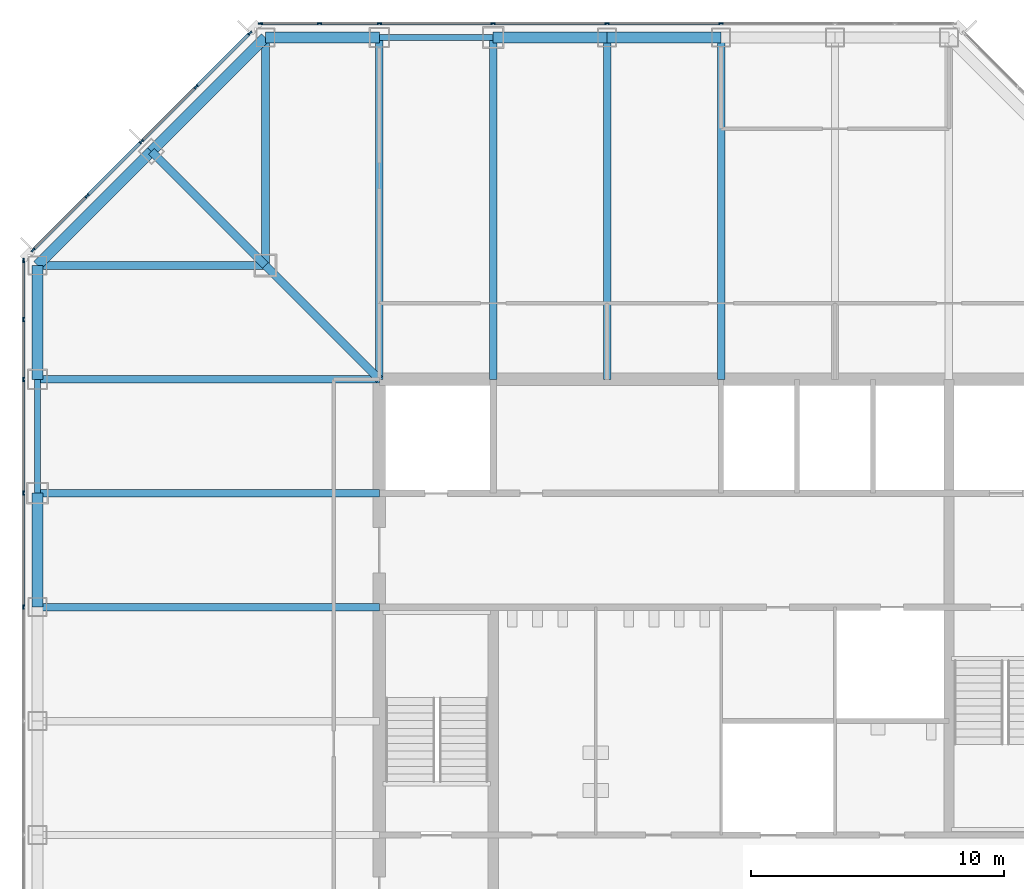
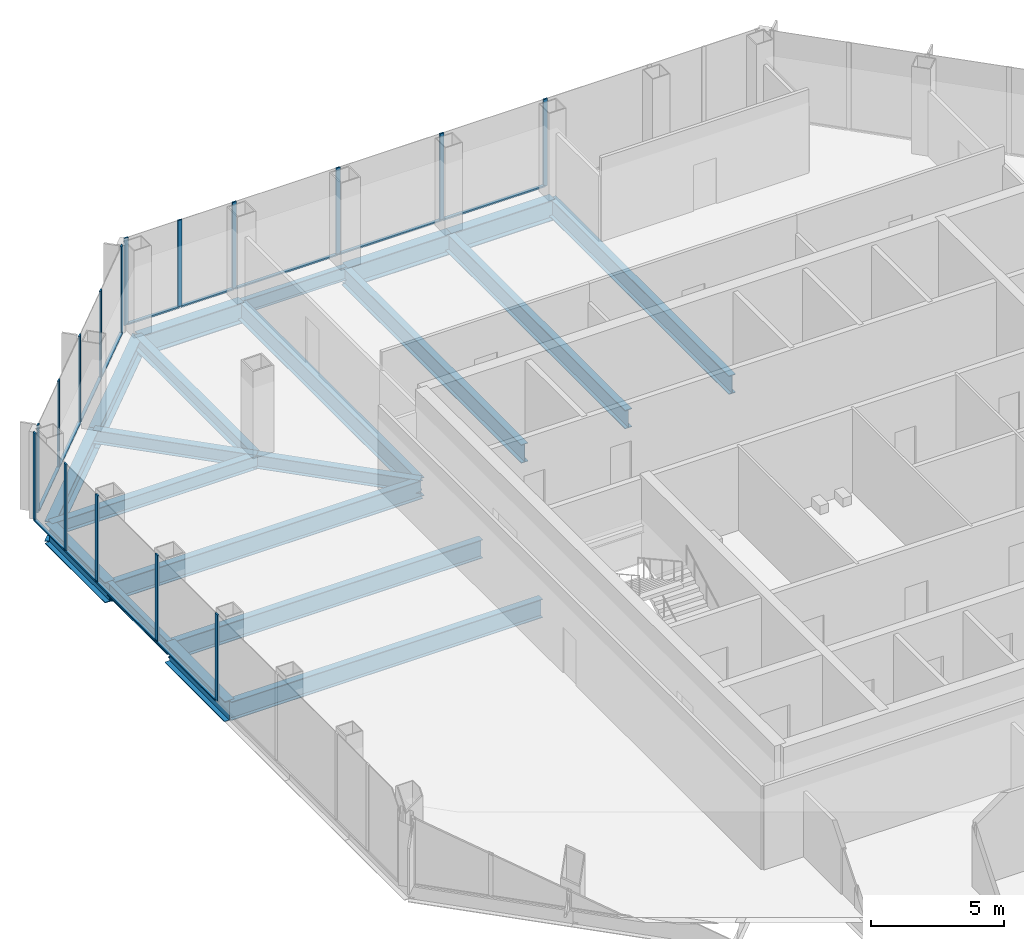
# One storey, part 5 of 12: 29 members, 20 beams, 3 elements without a shape of their own.
"""IFC4 building model written with IfcOpenShell, lengths in metres."""

from ifc_helpers import new_model, si_unit, direction, frame, origin, origin_2d, place, context, subcontext, project, spatial, rectangle, i_section, extrude, material, material_profile, profile_set, type_object, element, aggregate, save


model = new_model("IFC4")

# Units and contexts
model_context = context("Model", 3, precision=1e-05, world=origin(), true_north=direction((0.0, 1.0)))
body_context = subcontext(model_context, "Body", "Model", "MODEL_VIEW")
ifc_project = project(units=[si_unit("LENGTHUNIT", "METRE"), si_unit("AREAUNIT", "SQUARE_METRE"), si_unit("VOLUMEUNIT", "CUBIC_METRE"), si_unit("PLANEANGLEUNIT", "RADIAN"), si_unit("MASSUNIT", "GRAM", prefix="KILO")], contexts=[model_context])

# Site, building, storey
site_placement = place(None, origin())
site = spatial("IfcSite", under=ifc_project, at=site_placement, CompositionType="ELEMENT")
building_placement = place(site_placement, origin())
building = spatial("IfcBuilding", under=site, at=building_placement, Name="Corais Broadcast Tower", CompositionType="ELEMENT")
storey_placement = place(building_placement, frame((0.0, 0.0, 187.60009765625)))
storey = spatial("IfcBuildingStorey", under=building, at=storey_placement, Name="L43", CompositionType="ELEMENT", Elevation=187.60009765625)

# Beams
ifc_material_1 = material(Name="Steel ASTM A572 Grade 50", Category="steel")
ifc_material_profile_1 = material_profile(ifc_material_1, i_section(OverallWidth=0.323974609375, OverallDepth=0.611083984375, WebThickness=0.0126953125, FlangeThickness=0.01904296875, at=origin_2d()), Name="W610x155")
ifc_profile_set_1 = profile_set([ifc_material_profile_1], Name="Steel ASTM A572 Grade 50")
beam_type_1 = type_object("IfcBeamType", Name="Chamfer tie W610x155", PredefinedType="BEAM", material=ifc_profile_set_1)
beam_1_placement = place(storey_placement, frame((4.5, 49.5, -0.465576171875), z_axis=(0.707106781187, -0.707106781187, 0.0), x_axis=(0.707106781187, 0.707106781187, 0.0)))
element("IfcBeam", 1, at=beam_1_placement, inside=storey, type_object=beam_type_1, Name="B5 M/4 to L/5", PredefinedType="BEAM", context=body_context, shape_type="SweptSolid", body=[
    extrude(i_section(OverallWidth=0.323974609375, OverallDepth=0.611083984375, WebThickness=0.0126953125, FlangeThickness=0.01904296875, at=origin_2d()), origin(), (0.0, 0.0, 1.0), 6.364013671875),
])
ifc_material_2 = material(Name="Steel ASTM A572 Grade 50", Category="steel")
ifc_material_profile_2 = material_profile(ifc_material_2, i_section(OverallWidth=0.323974609375, OverallDepth=0.611083984375, WebThickness=0.0126953125, FlangeThickness=0.01904296875, at=origin_2d()), Name="W610x155")
ifc_profile_set_2 = profile_set([ifc_material_profile_2], Name="Steel ASTM A572 Grade 50")
beam_type_2 = type_object("IfcBeamType", Name="Corner diagonal W610x155", PredefinedType="BEAM", material=ifc_profile_set_2)
beam_2_placement = place(storey_placement, frame((9.0, 45.0, -0.465576171875), z_axis=(0.707106781187, -0.707106781187, 0.0), x_axis=(0.707106781187, 0.707106781187, 0.0)))
element("IfcBeam", 2, at=beam_2_placement, inside=storey, type_object=beam_type_2, Name="B6 L/5 to K/6", PredefinedType="BEAM", context=body_context, shape_type="SweptSolid", body=[
    extrude(i_section(OverallWidth=0.323974609375, OverallDepth=0.611083984375, WebThickness=0.0126953125, FlangeThickness=0.01904296875, at=origin_2d()), origin(), (0.0, 0.0, 1.0), 6.364013671875),
])
ifc_material_3 = material(Name="Steel ASTM A572 Grade 50", Category="steel")
ifc_material_profile_3 = material_profile(ifc_material_3, i_section(OverallWidth=0.323974609375, OverallDepth=0.611083984375, WebThickness=0.0126953125, FlangeThickness=0.01904296875, at=origin_2d()), Name="W610x155")
ifc_profile_set_3 = profile_set([ifc_material_profile_3], Name="Steel ASTM A572 Grade 50")
beam_type_3 = type_object("IfcBeamType", Name="Corner girder W610x155", PredefinedType="BEAM", material=ifc_profile_set_3)
for number, where, z_axis, x_axis, name in (
    (3, (0.0, 45.0, -0.465576171875), (1.0, 0.0, 0.0), (0.0, 1.0, 0.0), "B4 L/3 to L/5"),
    (4, (9.0, 54.0, -0.465576171875), (0.0, -1.0, 0.0), (1.0, 0.0, 0.0), "B4 N/5 to L/5"),
):
    element("IfcBeam", number, at=place(storey_placement, frame(where, z_axis=z_axis, x_axis=x_axis)), inside=storey, type_object=beam_type_3, Name=name, PredefinedType="BEAM", context=body_context, shape_type="SweptSolid", body=[
        extrude(i_section(OverallWidth=0.323974609375, OverallDepth=0.611083984375, WebThickness=0.0126953125, FlangeThickness=0.01904296875, at=origin_2d()), origin(), (0.0, 0.0, 1.0), 9.0),
    ])
ifc_material_4 = material(Name="Steel ASTM A572 Grade 50", Category="steel")
ifc_material_profile_4 = material_profile(ifc_material_4, i_section(OverallWidth=0.2939453125, OverallDepth=0.85107421875, WebThickness=0.01611328125, FlangeThickness=0.02685546875, at=origin_2d()), Name="W840x226")
ifc_profile_set_4 = profile_set([ifc_material_profile_4], Name="Steel ASTM A572 Grade 50")
beam_type_4 = type_object("IfcBeamType", Name="Floor beam W840x226", PredefinedType="BEAM", material=ifc_profile_set_4)
for number, where, z_axis, x_axis, name in (
    (5, (0.0, 31.5, -0.585693359375), (1.0, 0.0, 0.0), (0.0, 1.0, 0.0), "B1 H/3 to H/6"),
    (6, (0.0, 36.0, -0.585693359375), (1.0, 0.0, 0.0), (0.0, 1.0, 0.0), "B1 J/3 to J/6"),
    (7, (0.0, 40.5, -0.585693359375), (1.0, 0.0, 0.0), (0.0, 1.0, 0.0), "B1 K/3 to K/6"),
    (8, (13.5, 54.0, -0.585693359375), (0.0, -1.0, 0.0), (1.0, 0.0, 0.0), "B1 N/6 to K/6"),
    (9, (18.0, 54.0, -0.585693359375), (0.0, -1.0, 0.0), (1.0, 0.0, 0.0), "B1 N/7 to K/7"),
    (10, (22.5, 54.0, -0.585693359375), (0.0, -1.0, 0.0), (1.0, 0.0, 0.0), "B1 N/8 to K/8"),
    (11, (27.0, 54.0, -0.585693359375), (0.0, -1.0, 0.0), (1.0, 0.0, 0.0), "B1 N/9 to K/9"),
):
    element("IfcBeam", number, at=place(storey_placement, frame(where, z_axis=z_axis, x_axis=x_axis)), inside=storey, type_object=beam_type_4, Name=name, PredefinedType="BEAM", context=body_context, shape_type="SweptSolid", body=[
        extrude(i_section(OverallWidth=0.2939453125, OverallDepth=0.85107421875, WebThickness=0.01611328125, FlangeThickness=0.02685546875, at=origin_2d()), origin(), (0.0, 0.0, 1.0), 13.5),
    ])

# Curtain wall, members
ifc_material_5 = material(Name="Aluminium and glass", Category="aluminium")
curtain_wall_type = type_object("IfcCurtainWallType", Name="Unitised fritted curtain wall CW2", PredefinedType="NOTDEFINED", material=ifc_material_5)
curtain_wall_1_placement = place(storey_placement, origin())
curtain_wall_1 = element("IfcCurtainWall", 12, at=curtain_wall_1_placement, inside=storey, type_object=curtain_wall_type, Name="CW2 curtain wall L43 2", PredefinedType="NOTDEFINED")
ifc_material_6 = material(Name="Aluminium 6063-T6", Category="aluminium")
ifc_material_profile_5 = material_profile(ifc_material_6, rectangle(XDim=0.06494140625, YDim=0.179931640625, at=origin_2d()), Name="Mullion CW2 65x180")
ifc_profile_set_5 = profile_set([ifc_material_profile_5], Name="Aluminium 6063-T6")
member_type_1 = type_object("IfcMemberType", Name="Mullion CW2 65x180", PredefinedType="MULLION", material=ifc_profile_set_5)
member_1_placement = place(storey_placement, frame((-0.550048828125, 31.5, 0.0), z_axis=(0.0, 0.0, 1.0), x_axis=(-1.0, 0.0, 0.0)))
member_1 = element("IfcMember", 13, at=member_1_placement, type_object=member_type_1, Name="CW2 mullion 5", PredefinedType="MULLION", context=body_context, shape_type="SweptSolid", body=[
    extrude(rectangle(XDim=0.06494140625, YDim=0.179931640625, at=origin_2d()), origin(), (0.0, 0.0, 1.0), 4.0),
])
member_2_placement = place(storey_placement, frame((-0.550048828125, 36.0, 0.0), z_axis=(0.0, 0.0, 1.0), x_axis=(-1.0, 0.0, 0.0)))
member_2 = element("IfcMember", 14, at=member_2_placement, type_object=member_type_1, Name="CW2 mullion 6", PredefinedType="MULLION", context=body_context, shape_type="SweptSolid", body=[
    extrude(rectangle(XDim=0.06494140625, YDim=0.179931640625, at=origin_2d()), origin(), (0.0, 0.0, 1.0), 4.0),
])
member_3_placement = place(storey_placement, frame((-0.550048828125, 40.5, 0.0), z_axis=(0.0, 0.0, 1.0), x_axis=(-1.0, 0.0, 0.0)))
member_3 = element("IfcMember", 15, at=member_3_placement, type_object=member_type_1, Name="CW2 mullion 7", PredefinedType="MULLION", context=body_context, shape_type="SweptSolid", body=[
    extrude(rectangle(XDim=0.06494140625, YDim=0.179931640625, at=origin_2d()), origin(), (0.0, 0.0, 1.0), 4.0),
])
member_4_placement = place(storey_placement, frame((-0.550048828125, 42.864013671875, 0.0), z_axis=(0.0, 0.0, 1.0), x_axis=(-1.0, 0.0, 0.0)))
member_4 = element("IfcMember", 16, at=member_4_placement, type_object=member_type_1, Name="CW2 mullion 8", PredefinedType="MULLION", context=body_context, shape_type="SweptSolid", body=[
    extrude(rectangle(XDim=0.06494140625, YDim=0.179931640625, at=origin_2d()), origin(), (0.0, 0.0, 1.0), 4.0),
])
member_5_placement = place(storey_placement, frame((-0.550048828125, 45.1953125, 0.0), z_axis=(0.0, 0.0, 1.0), x_axis=(-1.0, 0.0, 0.0)))
member_5 = element("IfcMember", 17, at=member_5_placement, type_object=member_type_1, Name="CW2 mullion 9", PredefinedType="MULLION", context=body_context, shape_type="SweptSolid", body=[
    extrude(rectangle(XDim=0.06494140625, YDim=0.179931640625, at=origin_2d()), origin(), (0.0, 0.0, 1.0), 4.0),
])

curtain_wall_2_placement = place(storey_placement, origin())
curtain_wall_2 = element("IfcCurtainWall", 18, at=curtain_wall_2_placement, inside=storey, type_object=curtain_wall_type, Name="CW2 curtain wall L43 3", PredefinedType="NOTDEFINED")
member_6_placement = place(storey_placement, frame((-0.17333984375, 45.6044921875, 0.0), z_axis=(0.0, 0.0, 1.0), x_axis=(-0.707106781187, 0.707106781187, 0.0)))
member_6 = element("IfcMember", 19, at=member_6_placement, type_object=member_type_1, Name="CW2 mullion 1", PredefinedType="MULLION", context=body_context, shape_type="SweptSolid", body=[
    extrude(rectangle(XDim=0.06494140625, YDim=0.179931640625, at=origin_2d()), origin(), (0.0, 0.0, 1.0), 4.0),
])
member_7_placement = place(storey_placement, frame((1.957275390625, 47.735107421875, 0.0), z_axis=(0.0, 0.0, 1.0), x_axis=(-0.707106781187, 0.707106781187, 0.0)))
member_7 = element("IfcMember", 20, at=member_7_placement, type_object=member_type_1, Name="CW2 mullion 2", PredefinedType="MULLION", context=body_context, shape_type="SweptSolid", body=[
    extrude(rectangle(XDim=0.06494140625, YDim=0.179931640625, at=origin_2d()), origin(), (0.0, 0.0, 1.0), 4.0),
])
member_8_placement = place(storey_placement, frame((4.111083984375, 49.888916015625, 0.0), z_axis=(0.0, 0.0, 1.0), x_axis=(-0.707106781187, 0.707106781187, 0.0)))
member_8 = element("IfcMember", 21, at=member_8_placement, type_object=member_type_1, Name="CW2 mullion 3", PredefinedType="MULLION", context=body_context, shape_type="SweptSolid", body=[
    extrude(rectangle(XDim=0.06494140625, YDim=0.179931640625, at=origin_2d()), origin(), (0.0, 0.0, 1.0), 4.0),
])
member_9_placement = place(storey_placement, frame((6.264892578125, 52.042724609375, 0.0), z_axis=(0.0, 0.0, 1.0), x_axis=(-0.707106781187, 0.707106781187, 0.0)))
member_9 = element("IfcMember", 22, at=member_9_placement, type_object=member_type_1, Name="CW2 mullion 4", PredefinedType="MULLION", context=body_context, shape_type="SweptSolid", body=[
    extrude(rectangle(XDim=0.06494140625, YDim=0.179931640625, at=origin_2d()), origin(), (0.0, 0.0, 1.0), 4.0),
])
member_10_placement = place(storey_placement, frame((8.3955078125, 54.17333984375, 0.0), z_axis=(0.0, 0.0, 1.0), x_axis=(-0.707106781187, 0.707106781187, 0.0)))
member_10 = element("IfcMember", 23, at=member_10_placement, type_object=member_type_1, Name="CW2 mullion 5", PredefinedType="MULLION", context=body_context, shape_type="SweptSolid", body=[
    extrude(rectangle(XDim=0.06494140625, YDim=0.179931640625, at=origin_2d()), origin(), (0.0, 0.0, 1.0), 4.0),
])

curtain_wall_3_placement = place(storey_placement, origin())
curtain_wall_3 = element("IfcCurtainWall", 24, at=curtain_wall_3_placement, inside=storey, type_object=curtain_wall_type, Name="CW2 curtain wall L43 4", PredefinedType="NOTDEFINED")
member_11_placement = place(storey_placement, frame((8.8046875, 54.550048828125, 0.0), z_axis=(0.0, 0.0, 1.0), x_axis=(0.0, 1.0, 0.0)))
member_11 = element("IfcMember", 25, at=member_11_placement, type_object=member_type_1, Name="CW2 mullion 1", PredefinedType="MULLION", context=body_context, shape_type="SweptSolid", body=[
    extrude(rectangle(XDim=0.06494140625, YDim=0.179931640625, at=origin_2d()), origin(), (0.0, 0.0, 1.0), 4.0),
])
member_12_placement = place(storey_placement, frame((11.135986328125, 54.550048828125, 0.0), z_axis=(0.0, 0.0, 1.0), x_axis=(0.0, 1.0, 0.0)))
member_12 = element("IfcMember", 26, at=member_12_placement, type_object=member_type_1, Name="CW2 mullion 2", PredefinedType="MULLION", context=body_context, shape_type="SweptSolid", body=[
    extrude(rectangle(XDim=0.06494140625, YDim=0.179931640625, at=origin_2d()), origin(), (0.0, 0.0, 1.0), 4.0),
])
member_13_placement = place(storey_placement, frame((13.5, 54.550048828125, 0.0), z_axis=(0.0, 0.0, 1.0), x_axis=(0.0, 1.0, 0.0)))
member_13 = element("IfcMember", 27, at=member_13_placement, type_object=member_type_1, Name="CW2 mullion 3", PredefinedType="MULLION", context=body_context, shape_type="SweptSolid", body=[
    extrude(rectangle(XDim=0.06494140625, YDim=0.179931640625, at=origin_2d()), origin(), (0.0, 0.0, 1.0), 4.0),
])
member_14_placement = place(storey_placement, frame((18.0, 54.550048828125, 0.0), z_axis=(0.0, 0.0, 1.0), x_axis=(0.0, 1.0, 0.0)))
member_14 = element("IfcMember", 28, at=member_14_placement, type_object=member_type_1, Name="CW2 mullion 4", PredefinedType="MULLION", context=body_context, shape_type="SweptSolid", body=[
    extrude(rectangle(XDim=0.06494140625, YDim=0.179931640625, at=origin_2d()), origin(), (0.0, 0.0, 1.0), 4.0),
])
member_15_placement = place(storey_placement, frame((22.5, 54.550048828125, 0.0), z_axis=(0.0, 0.0, 1.0), x_axis=(0.0, 1.0, 0.0)))
member_15 = element("IfcMember", 29, at=member_15_placement, type_object=member_type_1, Name="CW2 mullion 5", PredefinedType="MULLION", context=body_context, shape_type="SweptSolid", body=[
    extrude(rectangle(XDim=0.06494140625, YDim=0.179931640625, at=origin_2d()), origin(), (0.0, 0.0, 1.0), 4.0),
])
member_16_placement = place(storey_placement, frame((27.0, 54.550048828125, 0.0), z_axis=(0.0, 0.0, 1.0), x_axis=(0.0, 1.0, 0.0)))
member_16 = element("IfcMember", 30, at=member_16_placement, type_object=member_type_1, Name="CW2 mullion 6", PredefinedType="MULLION", context=body_context, shape_type="SweptSolid", body=[
    extrude(rectangle(XDim=0.06494140625, YDim=0.179931640625, at=origin_2d()), origin(), (0.0, 0.0, 1.0), 4.0),
])

# Beams
ifc_material_7 = material(Name="Steel ASTM A572 Grade 50", Category="steel")
ifc_material_profile_6 = material_profile(ifc_material_7, i_section(OverallWidth=0.22900390625, OverallDepth=0.612060546875, WebThickness=0.011962890625, FlangeThickness=0.01953125, at=origin_2d()), Name="W610x125")
ifc_profile_set_6 = profile_set([ifc_material_profile_6], Name="Steel ASTM A572 Grade 50")
beam_type_5 = type_object("IfcBeamType", Name="Pinned spandrel W610x125", PredefinedType="BEAM", material=ifc_profile_set_6)
for number, where, z_axis, x_axis, name in (
    (31, (0.0, 40.5, -0.466064453125), (0.0, -1.0, 0.0), (1.0, 0.0, 0.0), "SB7 K/3 to J/3"),
    (32, (18.0, 54.0, -0.466064453125), (-1.0, 0.0, 0.0), (0.0, -1.0, 0.0), "SB7 N/7 to N/6"),
):
    element("IfcBeam", number, at=place(storey_placement, frame(where, z_axis=z_axis, x_axis=x_axis)), inside=storey, type_object=beam_type_5, Name=name, PredefinedType="BEAM", context=body_context, shape_type="SweptSolid", body=[
        extrude(i_section(OverallWidth=0.22900390625, OverallDepth=0.612060546875, WebThickness=0.011962890625, FlangeThickness=0.01953125, at=origin_2d()), origin(), (0.0, 0.0, 1.0), 4.5),
    ])
ifc_material_8 = material(Name="Steel ASTM A572 Grade 50", Category="steel")
ifc_material_profile_7 = material_profile(ifc_material_8, i_section(OverallWidth=0.4189453125, OverallDepth=0.94189453125, WebThickness=0.022216796875, FlangeThickness=0.03662109375, at=origin_2d()), Name="W920x345")
ifc_profile_set_7 = profile_set([ifc_material_profile_7], Name="Steel ASTM A572 Grade 50")
beam_type_6 = type_object("IfcBeamType", Name="Transfer spandrel W920x345", PredefinedType="BEAM", material=ifc_profile_set_7)
for number, where, z_axis, x_axis, name in (
    (33, (0.0, 36.0, -0.631103515625), (0.0, -1.0, 0.0), (1.0, 0.0, 0.0), "SB4 J/3 to H/3"),
    (34, (0.0, 45.0, -0.631103515625), (0.0, -1.0, 0.0), (1.0, 0.0, 0.0), "SB4 L/3 to K/3"),
    (35, (13.5, 54.0, -0.631103515625), (-1.0, 0.0, 0.0), (0.0, -1.0, 0.0), "SB4 N/6 to N/5"),
    (36, (22.5, 54.0, -0.631103515625), (-1.0, 0.0, 0.0), (0.0, -1.0, 0.0), "SB4 N/8 to N/7"),
    (37, (27.0, 54.0, -0.631103515625), (-1.0, 0.0, 0.0), (0.0, -1.0, 0.0), "SB4 N/9 to N/8"),
):
    element("IfcBeam", number, at=place(storey_placement, frame(where, z_axis=z_axis, x_axis=x_axis)), inside=storey, type_object=beam_type_6, Name=name, PredefinedType="BEAM", context=body_context, shape_type="SweptSolid", body=[
        extrude(i_section(OverallWidth=0.4189453125, OverallDepth=0.94189453125, WebThickness=0.022216796875, FlangeThickness=0.03662109375, at=origin_2d()), origin(), (0.0, 0.0, 1.0), 4.5),
    ])
for number, where, z_axis, x_axis, name in (
    (38, (4.5, 49.5, -0.631103515625), (-0.707106781187, -0.707106781187, 0.0), (0.707106781187, -0.707106781187, 0.0), "SB4 M/4 to L/3"),
    (39, (9.0, 54.0, -0.631103515625), (-0.707106781187, -0.707106781187, 0.0), (0.707106781187, -0.707106781187, 0.0), "SB4 N/5 to M/4"),
):
    element("IfcBeam", number, at=place(storey_placement, frame(where, z_axis=z_axis, x_axis=x_axis)), inside=storey, type_object=beam_type_6, Name=name, PredefinedType="BEAM", context=body_context, shape_type="SweptSolid", body=[
        extrude(i_section(OverallWidth=0.4189453125, OverallDepth=0.94189453125, WebThickness=0.022216796875, FlangeThickness=0.03662109375, at=origin_2d()), origin(), (0.0, 0.0, 1.0), 6.364013671875),
    ])

# Member
ifc_material_9 = material(Name="Aluminium 6063-T6", Category="aluminium")
ifc_material_profile_8 = material_profile(ifc_material_9, rectangle(XDim=0.1298828125, YDim=0.06494140625, at=origin_2d()), Name="Transom CW2 65x130")
ifc_profile_set_8 = profile_set([ifc_material_profile_8], Name="Aluminium 6063-T6")
member_type_2 = type_object("IfcMemberType", Name="Transom CW2 65x130", PredefinedType="USERDEFINED", material=ifc_profile_set_8)
member_17_placement = place(storey_placement, frame((-0.550048828125, 31.532470703125, 0.032470703125), z_axis=(0.0, 1.0, 0.0), x_axis=(-1.0, 0.0, 0.0)))
member_17 = element("IfcMember", 40, at=member_17_placement, type_object=member_type_2, Name="CW2 transom 5.1", ObjectType="TRANSOM", PredefinedType="USERDEFINED", context=body_context, shape_type="SweptSolid", body=[
    extrude(rectangle(XDim=0.1298828125, YDim=0.06494140625, at=origin_2d()), origin(), (0.0, 0.0, 1.0), 4.43505859375),
])

member_18_placement = place(storey_placement, frame((-0.550048828125, 36.032470703125, 0.032470703125), z_axis=(0.0, 1.0, 0.0), x_axis=(-1.0, 0.0, 0.0)))
member_18 = element("IfcMember", 41, at=member_18_placement, type_object=member_type_2, Name="CW2 transom 6.1", ObjectType="TRANSOM", PredefinedType="USERDEFINED", context=body_context, shape_type="SweptSolid", body=[
    extrude(rectangle(XDim=0.1298828125, YDim=0.06494140625, at=origin_2d()), origin(), (0.0, 0.0, 1.0), 4.43505859375),
])

member_19_placement = place(storey_placement, frame((-0.550048828125, 40.532470703125, 0.032470703125), z_axis=(0.0, 1.0, 0.0), x_axis=(-1.0, 0.0, 0.0)))
member_19 = element("IfcMember", 42, at=member_19_placement, type_object=member_type_2, Name="CW2 transom 7.1", ObjectType="TRANSOM", PredefinedType="USERDEFINED", context=body_context, shape_type="SweptSolid", body=[
    extrude(rectangle(XDim=0.1298828125, YDim=0.06494140625, at=origin_2d()), origin(), (0.0, 0.0, 1.0), 2.298828125),
])

member_20_placement = place(storey_placement, frame((-0.550048828125, 42.896484375, 0.032470703125), z_axis=(0.0, 1.0, 0.0), x_axis=(-1.0, 0.0, 0.0)))
member_20 = element("IfcMember", 43, at=member_20_placement, type_object=member_type_2, Name="CW2 transom 8.1", ObjectType="TRANSOM", PredefinedType="USERDEFINED", context=body_context, shape_type="SweptSolid", body=[
    extrude(rectangle(XDim=0.1298828125, YDim=0.06494140625, at=origin_2d()), origin(), (0.0, 0.0, 1.0), 2.266357421875),
])

aggregate(curtain_wall_1, [member_1, member_2, member_3, member_4, member_5, member_17, member_18, member_19, member_20])

member_21_placement = place(storey_placement, frame((-0.150390625, 45.62744140625, 0.032470703125), z_axis=(0.707106781187, 0.707106781187, 0.0), x_axis=(-0.707106781187, 0.707106781187, 0.0)))
member_21 = element("IfcMember", 44, at=member_21_placement, type_object=member_type_2, Name="CW2 transom 1.1", ObjectType="TRANSOM", PredefinedType="USERDEFINED", context=body_context, shape_type="SweptSolid", body=[
    extrude(rectangle(XDim=0.1298828125, YDim=0.06494140625, at=origin_2d()), origin(), (0.0, 0.0, 1.0), 2.9482421875),
])

member_22_placement = place(storey_placement, frame((1.980224609375, 47.758056640625, 0.032470703125), z_axis=(0.707106781187, 0.707106781187, 0.0), x_axis=(-0.707106781187, 0.707106781187, 0.0)))
member_22 = element("IfcMember", 45, at=member_22_placement, type_object=member_type_2, Name="CW2 transom 2.1", ObjectType="TRANSOM", PredefinedType="USERDEFINED", context=body_context, shape_type="SweptSolid", body=[
    extrude(rectangle(XDim=0.1298828125, YDim=0.06494140625, at=origin_2d()), origin(), (0.0, 0.0, 1.0), 2.98095703125),
])

member_23_placement = place(storey_placement, frame((4.134033203125, 49.911865234375, 0.032470703125), z_axis=(0.707106781187, 0.707106781187, 0.0), x_axis=(-0.707106781187, 0.707106781187, 0.0)))
member_23 = element("IfcMember", 46, at=member_23_placement, type_object=member_type_2, Name="CW2 transom 3.1", ObjectType="TRANSOM", PredefinedType="USERDEFINED", context=body_context, shape_type="SweptSolid", body=[
    extrude(rectangle(XDim=0.1298828125, YDim=0.06494140625, at=origin_2d()), origin(), (0.0, 0.0, 1.0), 2.98095703125),
])

member_24_placement = place(storey_placement, frame((6.287841796875, 52.065673828125, 0.032470703125), z_axis=(0.707106781187, 0.707106781187, 0.0), x_axis=(-0.707106781187, 0.707106781187, 0.0)))
member_24 = element("IfcMember", 47, at=member_24_placement, type_object=member_type_2, Name="CW2 transom 4.1", ObjectType="TRANSOM", PredefinedType="USERDEFINED", context=body_context, shape_type="SweptSolid", body=[
    extrude(rectangle(XDim=0.1298828125, YDim=0.06494140625, at=origin_2d()), origin(), (0.0, 0.0, 1.0), 2.9482421875),
])

aggregate(curtain_wall_2, [member_6, member_7, member_8, member_9, member_10, member_21, member_22, member_23, member_24])

member_25_placement = place(storey_placement, frame((8.837158203125, 54.550048828125, 0.032470703125), z_axis=(1.0, 0.0, 0.0), x_axis=(0.0, 1.0, 0.0)))
member_25 = element("IfcMember", 48, at=member_25_placement, type_object=member_type_2, Name="CW2 transom 1.1", ObjectType="TRANSOM", PredefinedType="USERDEFINED", context=body_context, shape_type="SweptSolid", body=[
    extrude(rectangle(XDim=0.1298828125, YDim=0.06494140625, at=origin_2d()), origin(), (0.0, 0.0, 1.0), 2.266357421875),
])

member_26_placement = place(storey_placement, frame((11.168701171875, 54.550048828125, 0.032470703125), z_axis=(1.0, 0.0, 0.0), x_axis=(0.0, 1.0, 0.0)))
member_26 = element("IfcMember", 49, at=member_26_placement, type_object=member_type_2, Name="CW2 transom 2.1", ObjectType="TRANSOM", PredefinedType="USERDEFINED", context=body_context, shape_type="SweptSolid", body=[
    extrude(rectangle(XDim=0.1298828125, YDim=0.06494140625, at=origin_2d()), origin(), (0.0, 0.0, 1.0), 2.298828125),
])

member_27_placement = place(storey_placement, frame((13.532470703125, 54.550048828125, 0.032470703125), z_axis=(1.0, 0.0, 0.0), x_axis=(0.0, 1.0, 0.0)))
member_27 = element("IfcMember", 50, at=member_27_placement, type_object=member_type_2, Name="CW2 transom 3.1", ObjectType="TRANSOM", PredefinedType="USERDEFINED", context=body_context, shape_type="SweptSolid", body=[
    extrude(rectangle(XDim=0.1298828125, YDim=0.06494140625, at=origin_2d()), origin(), (0.0, 0.0, 1.0), 4.43505859375),
])

member_28_placement = place(storey_placement, frame((18.032470703125, 54.550048828125, 0.032470703125), z_axis=(1.0, 0.0, 0.0), x_axis=(0.0, 1.0, 0.0)))
member_28 = element("IfcMember", 51, at=member_28_placement, type_object=member_type_2, Name="CW2 transom 4.1", ObjectType="TRANSOM", PredefinedType="USERDEFINED", context=body_context, shape_type="SweptSolid", body=[
    extrude(rectangle(XDim=0.1298828125, YDim=0.06494140625, at=origin_2d()), origin(), (0.0, 0.0, 1.0), 4.43505859375),
])

member_29_placement = place(storey_placement, frame((22.532470703125, 54.550048828125, 0.032470703125), z_axis=(1.0, 0.0, 0.0), x_axis=(0.0, 1.0, 0.0)))
member_29 = element("IfcMember", 52, at=member_29_placement, type_object=member_type_2, Name="CW2 transom 5.1", ObjectType="TRANSOM", PredefinedType="USERDEFINED", context=body_context, shape_type="SweptSolid", body=[
    extrude(rectangle(XDim=0.1298828125, YDim=0.06494140625, at=origin_2d()), origin(), (0.0, 0.0, 1.0), 4.43505859375),
])

aggregate(curtain_wall_3, [member_11, member_12, member_13, member_14, member_15, member_16, member_25, member_26, member_27, member_28, member_29])

save(model, "model.ifc")
